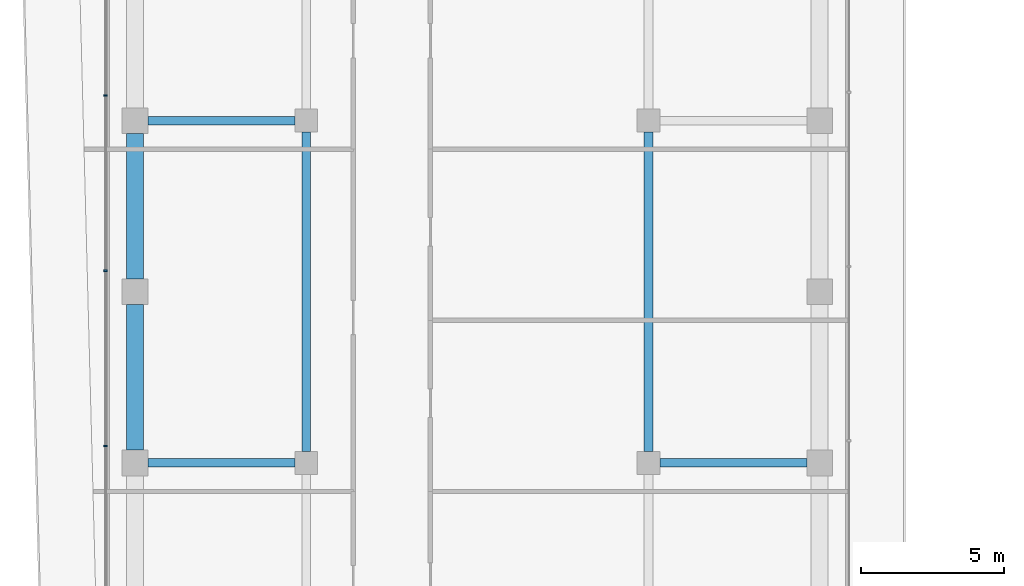
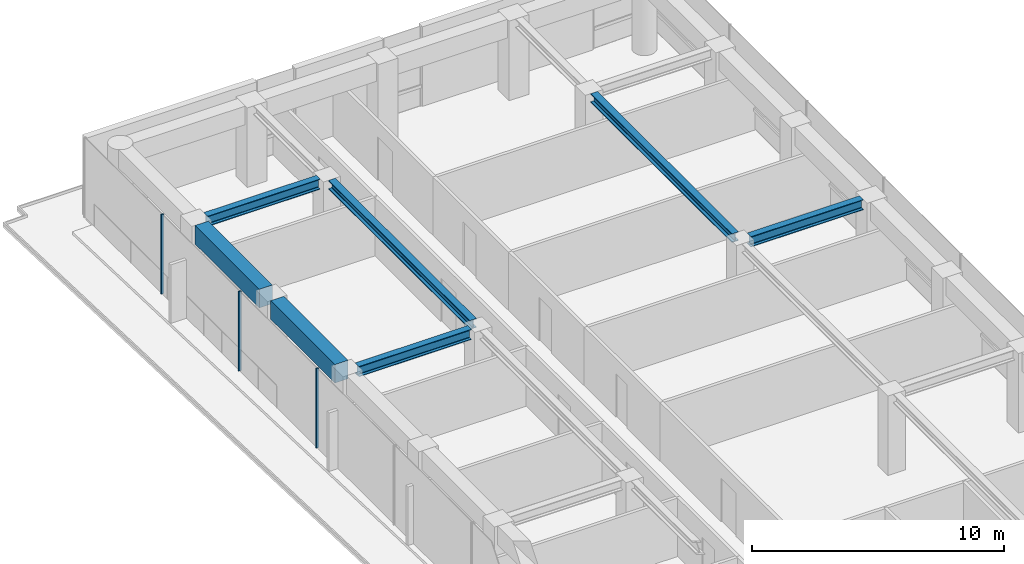
# One storey, part 13 of 23: 7 beams, 3 members, 1 element without a shape of its own.
"""IFC4 building model written with IfcOpenShell, lengths in metres."""

from ifc_helpers import new_model, si_unit, direction, frame, origin, origin_2d, place, context, subcontext, project, spatial, rectangle, i_section, extrude, material, layer, layer_set, material_profile, profile_set, type_object, element, aggregate, save


model = new_model("IFC4")

# Units and contexts
model_context = context("Model", 3, precision=1e-05, world=origin(), true_north=direction((0.0, 1.0)))
body_context = subcontext(model_context, "Body", "Model", "MODEL_VIEW")
ifc_project = project(units=[si_unit("LENGTHUNIT", "METRE"), si_unit("AREAUNIT", "SQUARE_METRE"), si_unit("VOLUMEUNIT", "CUBIC_METRE"), si_unit("PLANEANGLEUNIT", "RADIAN"), si_unit("MASSUNIT", "GRAM", prefix="KILO")], contexts=[model_context])

# Site, building, storey
site_placement = place(None, origin())
site = spatial("IfcSite", under=ifc_project, at=site_placement, CompositionType="ELEMENT")
building_placement = place(site_placement, origin())
building = spatial("IfcBuilding", under=site, at=building_placement, Name="Welwitschia Terrace Campus", CompositionType="ELEMENT")
storey_placement = place(building_placement, frame((0.0, 0.0, 104.60009765625)))
storey = spatial("IfcBuildingStorey", under=building, at=storey_placement, Name="L23", CompositionType="ELEMENT", Elevation=104.60009765625)

# Beams
ifc_material_1 = material(Name="Steel S355", Category="steel")
ifc_material_profile_1 = material_profile(ifc_material_1, i_section(OverallWidth=0.306884765625, OverallDepth=0.431884765625, WebThickness=0.02099609375, FlangeThickness=0.0400390625, FilletRadius=0.027099609375, at=origin_2d()))
ifc_profile_set_1 = profile_set([ifc_material_profile_1], Name="Steel S355")
beam_type_1 = type_object("IfcBeamType", Name="Interior girder HE 400 M", PredefinedType="BEAM", material=ifc_profile_set_1)
for number, where, z_axis, x_axis, name in (
    (1, (6.0, 52.400390625, 3.6337890625), (0.0, 1.0, 0.0), (-1.0, 0.0, 0.0), "Girder GB3"),
    (2, (18.0, 52.400390625, 3.6337890625), (0.0, 1.0, 0.0), (-1.0, 0.0, 0.0), "Girder GB3"),
):
    element("IfcBeam", number, at=place(storey_placement, frame(where, z_axis=z_axis, x_axis=x_axis)), inside=storey, type_object=beam_type_1, Name=name, PredefinedType="BEAM", context=body_context, shape_type="SweptSolid", body=[
        extrude(i_section(OverallWidth=0.306884765625, OverallDepth=0.431884765625, WebThickness=0.02099609375, FlangeThickness=0.0400390625, FilletRadius=0.027099609375, at=origin_2d()), origin(), (0.0, 0.0, 1.0), 11.19921875),
    ])

# Curtain wall, members
ifc_material_2 = material(Name="Bronze anodised aluminium", Category="aluminium")
ifc_layer = layer(ifc_material_2, 0.1201171875)
ifc_layer_set = layer_set([ifc_layer], Name="Bronze anodised aluminium")
curtain_wall_type = type_object("IfcCurtainWallType", Name="Curtain wall CW2 tower 6000", PredefinedType="NOTDEFINED", material=ifc_layer_set)
curtain_wall_placement = place(storey_placement, origin())
curtain_wall = element("IfcCurtainWall", 3, at=curtain_wall_placement, inside=storey, type_object=curtain_wall_type, Name="CW L23.12.0", PredefinedType="NOTDEFINED")
ifc_material_3 = material(Name="Bronze anodised aluminium", Category="aluminium")
ifc_material_profile_2 = material_profile(ifc_material_3, rectangle(XDim=0.1201171875, YDim=0.06005859375, at=origin_2d()))
ifc_profile_set_2 = profile_set([ifc_material_profile_2], Name="Bronze anodised aluminium")
member_type = type_object("IfcMemberType", Name="Mullion 60x120", PredefinedType="MULLION", material=ifc_profile_set_2)
member_1_placement = place(storey_placement, frame((-1.030029296875, 64.88427734375, 0.0), z_axis=(0.0, 0.0, 1.0), x_axis=(1.0, 0.0, 0.0)))
member_1 = element("IfcMember", 4, at=member_1_placement, type_object=member_type, Name="Mullion L23.12.0.1", PredefinedType="MULLION", context=body_context, shape_type="SweptSolid", body=[
    extrude(rectangle(XDim=0.1201171875, YDim=0.06005859375, at=origin_2d()), origin(), (0.0, 0.0, 1.0), 3.849853515625),
])
member_2_placement = place(storey_placement, frame((-1.030029296875, 58.73876953125, 0.0), z_axis=(0.0, 0.0, 1.0), x_axis=(1.0, 0.0, 0.0)))
member_2 = element("IfcMember", 5, at=member_2_placement, type_object=member_type, Name="Mullion L23.12.0.2", PredefinedType="MULLION", context=body_context, shape_type="SweptSolid", body=[
    extrude(rectangle(XDim=0.1201171875, YDim=0.06005859375, at=origin_2d()), origin(), (0.0, 0.0, 1.0), 3.849853515625),
])
member_3_placement = place(storey_placement, frame((-1.030029296875, 52.593017578125, 0.0), z_axis=(0.0, 0.0, 1.0), x_axis=(1.0, 0.0, 0.0)))
member_3 = element("IfcMember", 6, at=member_3_placement, type_object=member_type, Name="Mullion L23.12.0.3", PredefinedType="MULLION", context=body_context, shape_type="SweptSolid", body=[
    extrude(rectangle(XDim=0.1201171875, YDim=0.06005859375, at=origin_2d()), origin(), (0.0, 0.0, 1.0), 3.849853515625),
])
aggregate(curtain_wall, [member_1, member_2, member_3])

# Beams
ifc_material_4 = material(Name="Steel S355", Category="steel")
ifc_material_profile_3 = material_profile(ifc_material_4, i_section(OverallWidth=0.300048828125, OverallDepth=0.5, WebThickness=0.014404296875, FlangeThickness=0.028076171875, FilletRadius=0.027099609375, at=origin_2d()))
ifc_profile_set_3 = profile_set([ifc_material_profile_3], Name="Steel S355")
beam_type_2 = type_object("IfcBeamType", Name="Primary beam HE 500 B", PredefinedType="BEAM", material=ifc_profile_set_3)
for number, where, z_axis, x_axis, name in (
    (7, (23.549560546875, 52.0, 3.599853515625), (-1.0, 0.0, 0.0), (0.0, -1.0, 0.0), "Primary beam PB3"),
    (8, (0.450439453125, 64.0, 3.599853515625), (1.0, 0.0, 0.0), (0.0, 1.0, 0.0), "Primary beam PB3"),
    (9, (0.450439453125, 52.0, 3.599853515625), (1.0, 0.0, 0.0), (0.0, 1.0, 0.0), "Primary beam PB3"),
):
    element("IfcBeam", number, at=place(storey_placement, frame(where, z_axis=z_axis, x_axis=x_axis)), inside=storey, type_object=beam_type_2, Name=name, PredefinedType="BEAM", context=body_context, shape_type="SweptSolid", body=[
        extrude(i_section(OverallWidth=0.300048828125, OverallDepth=0.5, WebThickness=0.014404296875, FlangeThickness=0.028076171875, FilletRadius=0.027099609375, at=origin_2d()), origin(), (0.0, 0.0, 1.0), 5.149169921875),
    ])
ifc_material_5 = material(Name="Concrete C60/75", Category="concrete")
ifc_material_profile_4 = material_profile(ifc_material_5, rectangle(XDim=0.60009765625, YDim=0.89990234375, at=origin_2d()))
ifc_profile_set_4 = profile_set([ifc_material_profile_4], Name="Concrete C60/75")
beam_type_3 = type_object("IfcBeamType", Name="Ring spandrel 600x900", PredefinedType="SPANDREL", material=ifc_profile_set_4)
for number, where, z_axis, x_axis, name in (
    (10, (0.0, 63.549560546875, 3.39990234375), (0.0, -1.0, 0.0), (1.0, 0.0, 0.0), "Spandrel SP2"),
    (11, (0.0, 57.549560546875, 3.39990234375), (0.0, -1.0, 0.0), (1.0, 0.0, 0.0), "Spandrel SP2"),
):
    element("IfcBeam", number, at=place(storey_placement, frame(where, z_axis=z_axis, x_axis=x_axis)), inside=storey, type_object=beam_type_3, Name=name, PredefinedType="SPANDREL", context=body_context, shape_type="SweptSolid", body=[
        extrude(rectangle(XDim=0.60009765625, YDim=0.89990234375, at=origin_2d()), origin(), (0.0, 0.0, 1.0), 5.09912109375),
    ])

save(model, "model.ifc")
